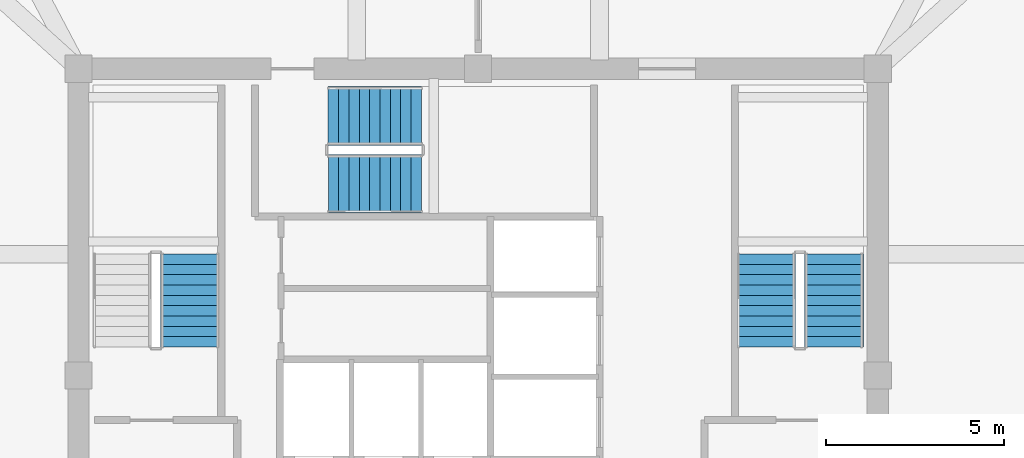
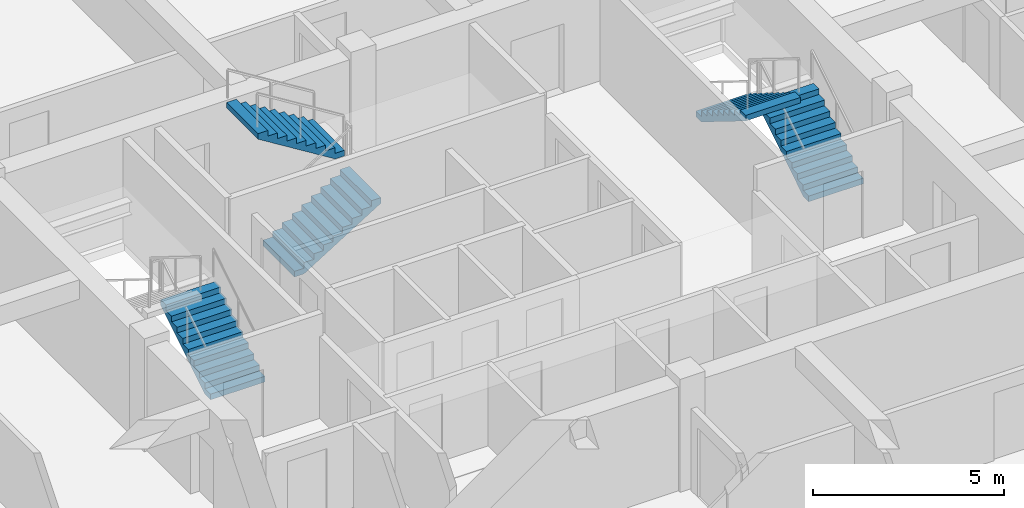
# One storey, part 11 of 13: 5 stair flights, 3 elements without a shape of their own.
"""IFC4 building model written with IfcOpenShell, lengths in metres."""

from ifc_helpers import new_model, si_unit, derived_unit, direction, frame, origin, place, context, subcontext, project, spatial, polyline, outline, extrude, material, type_object, element, aggregate, save


model = new_model("IFC4")

# Units and contexts
model_context = context("Model", 3, precision=1e-05, world=origin(), true_north=direction((0.0, 1.0)))
body_context = subcontext(model_context, "Body", "Model", "MODEL_VIEW")
ifc_project = project(units=[si_unit("LENGTHUNIT", "METRE"), si_unit("AREAUNIT", "SQUARE_METRE"), si_unit("VOLUMEUNIT", "CUBIC_METRE"), si_unit("PLANEANGLEUNIT", "RADIAN"), si_unit("MASSUNIT", "GRAM", prefix="KILO"), derived_unit("THERMALTRANSMITTANCEUNIT", [(si_unit("POWERUNIT", "WATT"), 1), (si_unit("LENGTHUNIT", "METRE"), -2), (si_unit("THERMODYNAMICTEMPERATUREUNIT", "KELVIN"), -1)])], contexts=[model_context])

# Site, building, storey
site_placement = place(None, origin())
site = spatial("IfcSite", under=ifc_project, at=site_placement, CompositionType="ELEMENT")
building_placement = place(site_placement, origin())
building = spatial("IfcBuilding", under=site, at=building_placement, Name="Koralith Skygarden Medical Center", CompositionType="ELEMENT")
storey_placement = place(building_placement, frame((0.0, 0.0, 264.419921875)))
storey = spatial("IfcBuildingStorey", under=building, at=storey_placement, Name="L68", CompositionType="ELEMENT", Elevation=264.419921875)

# Stair, stair flight
ifc_material = material(Name="Concrete C45/55", Category="concrete")
stair_type = type_object("IfcStairType", Name="Core Exit Dogleg Concrete Stair", PredefinedType="HALF_TURN_STAIR", material=ifc_material)
stair_1_placement = place(storey_placement, origin())
stair_1 = element("IfcStair", 1, at=stair_1_placement, inside=storey, type_object=stair_type, Name="L68 Smokeproof Exit Stair ST1", PredefinedType="HALF_TURN_STAIR")
stair_flight_type = type_object("IfcStairFlightType", Name="Core Exit Concrete Stair Flight 1650", PredefinedType="STRAIGHT", material=ifc_material)
stair_flight_1_placement = place(storey_placement, frame((28.925048828125, 26.699951171875, 0.0), z_axis=(0.0, 0.0, 1.0), x_axis=(0.0, 1.0, 0.0)))
stair_flight_1 = element("IfcStairFlight", 2, at=stair_flight_1_placement, type_object=stair_flight_type, Name="ST1 flight 1", NumberOfRisers=10, NumberOfTreads=9, PredefinedType="STRAIGHT", RiserHeight=0.18, TreadLength=0.29, context=body_context, shape_type="SweptSolid", body=[
    extrude(outline(polyline([(0.0, 0.0), (0.0, 0.179931640625), (0.2900390625, 0.179931640625), (0.2900390625, 0.360107421875), (0.580078125, 0.360107421875), (0.580078125, 0.5400390625), (0.8701171875, 0.5400390625), (0.8701171875, 0.719970703125), (1.159912109375, 0.719970703125), (1.159912109375, 0.89990234375), (1.449951171875, 0.89990234375), (1.449951171875, 1.080078125), (1.739990234375, 1.080078125), (1.739990234375, 1.260009765625), (2.030029296875, 1.260009765625), (2.030029296875, 1.43994140625), (2.320068359375, 1.43994140625), (2.320068359375, 1.6201171875), (2.610107421875, 1.6201171875), (2.610107421875, 1.800048828125), (2.610107421875, 1.443603515625), (0.2841796875, 0.0), (0.0, 0.0)])), frame((0.0, 0.824951171875, 0.0), z_axis=(0.0, -1.0, 0.0), x_axis=(1.0, 0.0, 0.0)), (0.0, 0.0, 1.0), 1.64990234375),
])
aggregate(stair_1, [stair_flight_1])

# Stair, stair flights
stair_2_placement = place(storey_placement, origin())
stair_2 = element("IfcStair", 3, at=stair_2_placement, inside=storey, type_object=stair_type, Name="L68 Smokeproof Exit Stair ST2", PredefinedType="HALF_TURN_STAIR")
stair_flight_2_placement = place(storey_placement, frame((46.97509765625, 26.699951171875, 0.0), z_axis=(0.0, 0.0, 1.0), x_axis=(0.0, 1.0, 0.0)))
stair_flight_2 = element("IfcStairFlight", 4, at=stair_flight_2_placement, type_object=stair_flight_type, Name="ST2 flight 1", NumberOfRisers=10, NumberOfTreads=9, PredefinedType="STRAIGHT", RiserHeight=0.18, TreadLength=0.29, context=body_context, shape_type="SweptSolid", body=[
    extrude(outline(polyline([(0.0, 0.0), (0.0, 0.179931640625), (0.2900390625, 0.179931640625), (0.2900390625, 0.360107421875), (0.580078125, 0.360107421875), (0.580078125, 0.5400390625), (0.8701171875, 0.5400390625), (0.8701171875, 0.719970703125), (1.159912109375, 0.719970703125), (1.159912109375, 0.89990234375), (1.449951171875, 0.89990234375), (1.449951171875, 1.080078125), (1.739990234375, 1.080078125), (1.739990234375, 1.260009765625), (2.030029296875, 1.260009765625), (2.030029296875, 1.43994140625), (2.320068359375, 1.43994140625), (2.320068359375, 1.6201171875), (2.610107421875, 1.6201171875), (2.610107421875, 1.800048828125), (2.610107421875, 1.443603515625), (0.2841796875, 0.0), (0.0, 0.0)])), frame((0.0, 0.824951171875, 0.0), z_axis=(0.0, -1.0, 0.0), x_axis=(1.0, 0.0, 0.0)), (0.0, 0.0, 1.0), 1.64990234375),
])
stair_flight_3_placement = place(storey_placement, frame((45.074951171875, 29.31005859375, 1.800048828125), z_axis=(0.0, 0.0, 1.0), x_axis=(0.0, -1.0, 0.0)))
stair_flight_3 = element("IfcStairFlight", 5, at=stair_flight_3_placement, type_object=stair_flight_type, Name="ST2 flight 2", NumberOfRisers=10, NumberOfTreads=9, PredefinedType="STRAIGHT", RiserHeight=0.18, TreadLength=0.29, context=body_context, shape_type="SweptSolid", body=[
    extrude(outline(polyline([(0.0, 0.0), (0.0, 0.179931640625), (0.2900390625, 0.179931640625), (0.2900390625, 0.360107421875), (0.580078125, 0.360107421875), (0.580078125, 0.5400390625), (0.8701171875, 0.5400390625), (0.8701171875, 0.719970703125), (1.159912109375, 0.719970703125), (1.159912109375, 0.89990234375), (1.449951171875, 0.89990234375), (1.449951171875, 1.080078125), (1.739990234375, 1.080078125), (1.739990234375, 1.260009765625), (2.030029296875, 1.260009765625), (2.030029296875, 1.43994140625), (2.320068359375, 1.43994140625), (2.320068359375, 1.6201171875), (2.610107421875, 1.6201171875), (2.610107421875, 1.800048828125), (2.610107421875, 1.443603515625), (0.2841796875, 0.0), (0.0, 0.0)])), frame((0.0, 0.824951171875, 0.0), z_axis=(0.0, -1.0, 0.0), x_axis=(1.0, 0.0, 0.0)), (0.0, 0.0, 1.0), 1.64990234375),
])
aggregate(stair_2, [stair_flight_2, stair_flight_3])

stair_3_placement = place(storey_placement, origin())
stair_3 = element("IfcStair", 6, at=stair_3_placement, inside=storey, type_object=stair_type, Name="L68 Smokeproof Exit Stair ST3", PredefinedType="HALF_TURN_STAIR")
stair_flight_4_placement = place(storey_placement, frame((32.800048828125, 31.27490234375, 0.0), z_axis=(0.0, 0.0, 1.0), x_axis=(1.0, 0.0, 0.0)))
stair_flight_4 = element("IfcStairFlight", 7, at=stair_flight_4_placement, type_object=stair_flight_type, Name="ST3 flight 1", NumberOfRisers=10, NumberOfTreads=9, PredefinedType="STRAIGHT", RiserHeight=0.18, TreadLength=0.29, context=body_context, shape_type="SweptSolid", body=[
    extrude(outline(polyline([(0.0, 0.0), (0.0, 0.179931640625), (0.2900390625, 0.179931640625), (0.2900390625, 0.360107421875), (0.580078125, 0.360107421875), (0.580078125, 0.5400390625), (0.8701171875, 0.5400390625), (0.8701171875, 0.719970703125), (1.159912109375, 0.719970703125), (1.159912109375, 0.89990234375), (1.449951171875, 0.89990234375), (1.449951171875, 1.080078125), (1.739990234375, 1.080078125), (1.739990234375, 1.260009765625), (2.030029296875, 1.260009765625), (2.030029296875, 1.43994140625), (2.320068359375, 1.43994140625), (2.320068359375, 1.6201171875), (2.610107421875, 1.6201171875), (2.610107421875, 1.800048828125), (2.610107421875, 1.443603515625), (0.2841796875, 0.0), (0.0, 0.0)])), frame((0.0, 0.824951171875, 0.0), z_axis=(0.0, -1.0, 0.0), x_axis=(1.0, 0.0, 0.0)), (0.0, 0.0, 1.0), 1.64990234375),
])
stair_flight_5_placement = place(storey_placement, frame((35.409912109375, 33.175048828125, 1.800048828125), z_axis=(0.0, 0.0, 1.0), x_axis=(-1.0, 0.0, 0.0)))
stair_flight_5 = element("IfcStairFlight", 8, at=stair_flight_5_placement, type_object=stair_flight_type, Name="ST3 flight 2", NumberOfRisers=10, NumberOfTreads=9, PredefinedType="STRAIGHT", RiserHeight=0.18, TreadLength=0.29, context=body_context, shape_type="SweptSolid", body=[
    extrude(outline(polyline([(0.0, 0.0), (0.0, 0.179931640625), (0.2900390625, 0.179931640625), (0.2900390625, 0.360107421875), (0.580078125, 0.360107421875), (0.580078125, 0.5400390625), (0.8701171875, 0.5400390625), (0.8701171875, 0.719970703125), (1.159912109375, 0.719970703125), (1.159912109375, 0.89990234375), (1.449951171875, 0.89990234375), (1.449951171875, 1.080078125), (1.739990234375, 1.080078125), (1.739990234375, 1.260009765625), (2.030029296875, 1.260009765625), (2.030029296875, 1.43994140625), (2.320068359375, 1.43994140625), (2.320068359375, 1.6201171875), (2.610107421875, 1.6201171875), (2.610107421875, 1.800048828125), (2.610107421875, 1.443603515625), (0.2841796875, 0.0), (0.0, 0.0)])), frame((0.0, 0.824951171875, 0.0), z_axis=(0.0, -1.0, 0.0), x_axis=(1.0, 0.0, 0.0)), (0.0, 0.0, 1.0), 1.64990234375),
])
aggregate(stair_3, [stair_flight_4, stair_flight_5])

save(model, "model.ifc")
